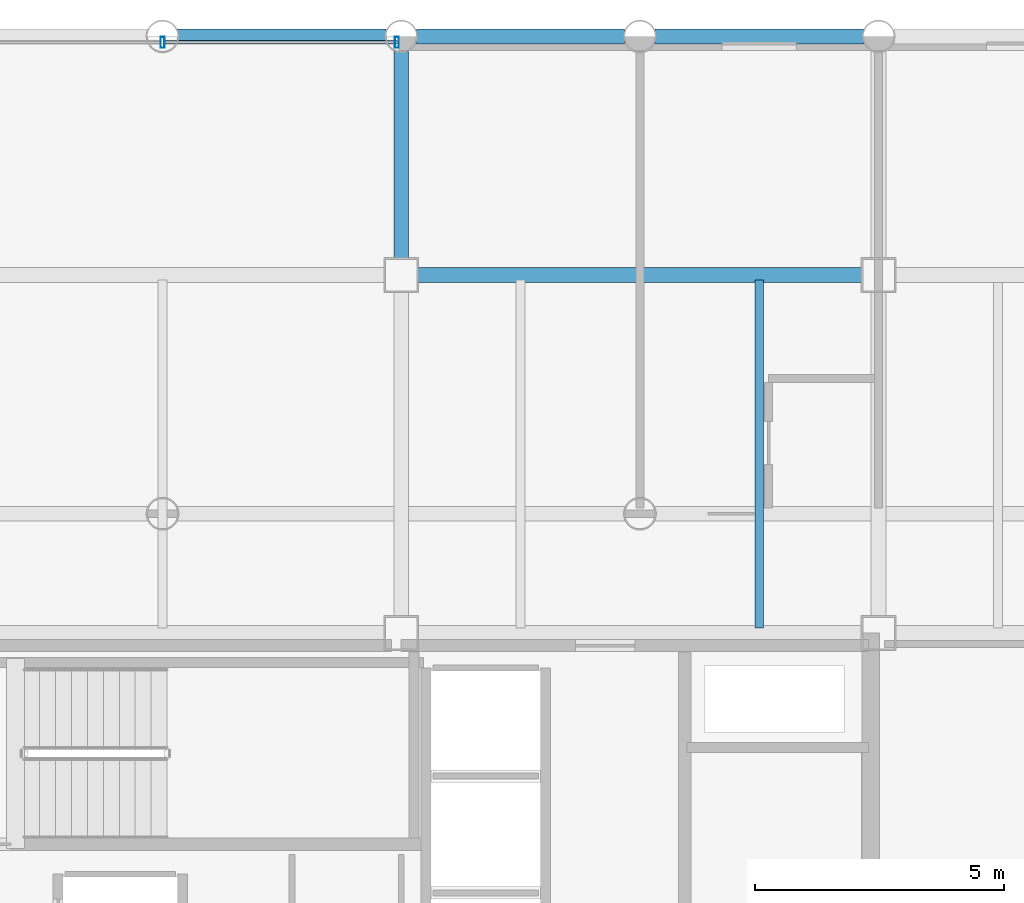
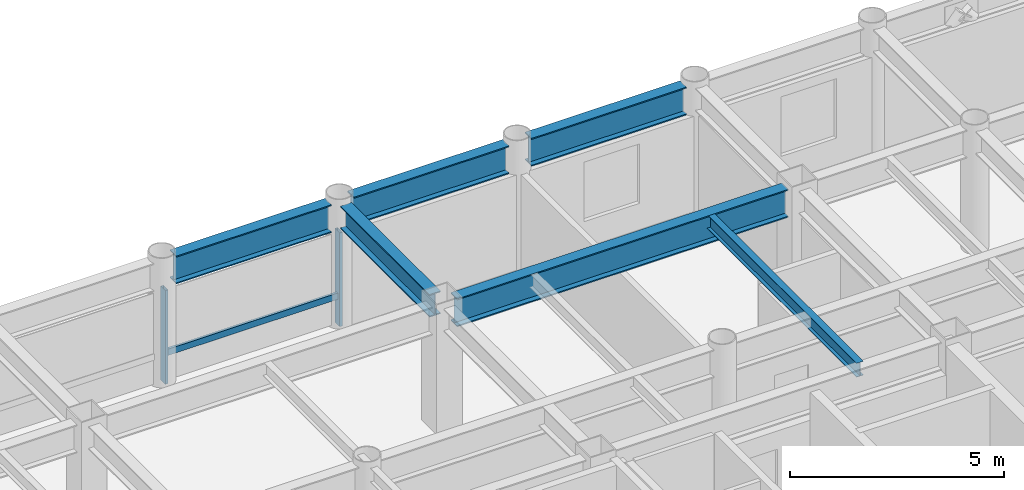
# One storey, part 12 of 19: 6 beams, 3 members, 1 element without a shape of its own.
"""IFC4 building model written with IfcOpenShell, lengths in metres."""

from ifc_helpers import new_model, si_unit, direction, frame, origin, origin_2d, place, context, subcontext, project, spatial, hollow_rectangle, i_section, extrude, material, layer, layer_set, material_profile, profile_set, type_object, element, aggregate, save


model = new_model("IFC4")

# Units and contexts
model_context = context("Model", 3, precision=1e-05, world=origin(), true_north=direction((0.0, 1.0)))
body_context = subcontext(model_context, "Body", "Model", "MODEL_VIEW")
ifc_project = project(units=[si_unit("LENGTHUNIT", "METRE"), si_unit("AREAUNIT", "SQUARE_METRE"), si_unit("VOLUMEUNIT", "CUBIC_METRE"), si_unit("PLANEANGLEUNIT", "RADIAN"), si_unit("MASSUNIT", "GRAM", prefix="KILO")], contexts=[model_context])

# Site, building, storey
site_placement = place(None, origin())
site = spatial("IfcSite", under=ifc_project, at=site_placement, CompositionType="ELEMENT")
building_placement = place(site_placement, origin())
building = spatial("IfcBuilding", under=site, at=building_placement, Name="Kallvorn Hotel Tower", CompositionType="ELEMENT")
storey_placement = place(building_placement, frame((0.0, 0.0, 169.199951171875)))
storey = spatial("IfcBuildingStorey", under=building, at=storey_placement, Name="L42", CompositionType="ELEMENT", Elevation=169.199951171875)

# Beams
ifc_material_1 = material(Name="Structural steel S355JR", Category="steel")
ifc_material_profile_1 = material_profile(ifc_material_1, i_section(OverallWidth=0.300048828125, OverallDepth=0.64990234375, WebThickness=0.01611328125, FlangeThickness=0.031005859375, at=origin_2d()), Name="HE 650 B")
ifc_profile_set_1 = profile_set([ifc_material_profile_1], Name="Structural steel S355JR")
beam_type_1 = type_object("IfcBeamType", Name="BM_HE650B", PredefinedType="BEAM", material=ifc_profile_set_1)
beam_1_placement = place(storey_placement, frame((4.800048828125, 14.72509765625, 3.195068359375), z_axis=(0.0, 1.0, 0.0), x_axis=(-1.0, 0.0, 0.0)))
element("IfcBeam", 1, at=beam_1_placement, inside=storey, type_object=beam_type_1, Name="L43 Primary Y-Girder 118", PredefinedType="BEAM", context=body_context, shape_type="SweptSolid", body=[
    extrude(i_section(OverallWidth=0.300048828125, OverallDepth=0.64990234375, WebThickness=0.01611328125, FlangeThickness=0.031005859375, at=origin_2d()), origin(), (0.0, 0.0, 1.0), 4.169921875),
])
ifc_material_2 = material(Name="Structural steel S355JR", Category="steel")
ifc_material_profile_2 = material_profile(ifc_material_2, i_section(OverallWidth=0.300048828125, OverallDepth=0.800048828125, WebThickness=0.017578125, FlangeThickness=0.032958984375, at=origin_2d()), Name="HE 800 B")
ifc_profile_set_2 = profile_set([ifc_material_profile_2], Name="Structural steel S355JR")
beam_type_2 = type_object("IfcBeamType", Name="BM_HE800B", PredefinedType="BEAM", material=ifc_profile_set_2)
beam_2_placement = place(storey_placement, frame((5.125, 14.39990234375, 3.1201171875), z_axis=(1.0, 0.0, 0.0), x_axis=(0.0, 1.0, 0.0)))
element("IfcBeam", 2, at=beam_2_placement, inside=storey, type_object=beam_type_2, Name="L43 Primary X-Girder 57", PredefinedType="BEAM", context=body_context, shape_type="SweptSolid", body=[
    extrude(i_section(OverallWidth=0.300048828125, OverallDepth=0.800048828125, WebThickness=0.017578125, FlangeThickness=0.032958984375, at=origin_2d()), origin(), (0.0, 0.0, 1.0), 8.949951171875),
])
beam_3_placement = place(storey_placement, frame((0.304931640625, 19.199951171875, 3.1201171875), z_axis=(1.0, 0.0, 0.0), x_axis=(0.0, 1.0, 0.0)))
element("IfcBeam", 3, at=beam_3_placement, inside=storey, type_object=beam_type_2, Name="L43 Primary X-Girder 67", PredefinedType="BEAM", context=body_context, shape_type="SweptSolid", body=[
    extrude(i_section(OverallWidth=0.300048828125, OverallDepth=0.800048828125, WebThickness=0.017578125, FlangeThickness=0.032958984375, at=origin_2d()), origin(), (0.0, 0.0, 1.0), 4.190185546875),
])
for number, where, z_axis, x_axis, name in (
    (4, (5.10498046875, 19.199951171875, 3.1201171875), (1.0, 0.0, 0.0), (0.0, 1.0, 0.0), "L43 Primary X-Girder 68"),
    (5, (9.905029296875, 19.199951171875, 3.1201171875), (1.0, 0.0, 0.0), (0.0, 1.0, 0.0), "L43 Primary X-Girder 69"),
):
    element("IfcBeam", number, at=place(storey_placement, frame(where, z_axis=z_axis, x_axis=x_axis)), inside=storey, type_object=beam_type_2, Name=name, PredefinedType="BEAM", context=body_context, shape_type="SweptSolid", body=[
        extrude(i_section(OverallWidth=0.300048828125, OverallDepth=0.800048828125, WebThickness=0.017578125, FlangeThickness=0.032958984375, at=origin_2d()), origin(), (0.0, 0.0, 1.0), 4.18994140625),
    ])
ifc_material_3 = material(Name="Structural steel S355JR", Category="steel")
ifc_material_profile_3 = material_profile(ifc_material_3, i_section(OverallWidth=0.179931640625, OverallDepth=0.39990234375, WebThickness=0.008544921875, FlangeThickness=0.013427734375, at=origin_2d()), Name="IPE 400")
ifc_profile_set_3 = profile_set([ifc_material_profile_3], Name="Structural steel S355JR")
beam_type_3 = type_object("IfcBeamType", Name="BM_IPE400", PredefinedType="JOIST", material=ifc_profile_set_3)
beam_4_placement = place(storey_placement, frame((12.0, 7.300048828125, 3.320068359375), z_axis=(0.0, 1.0, 0.0), x_axis=(-1.0, 0.0, 0.0)))
element("IfcBeam", 6, at=beam_4_placement, inside=storey, type_object=beam_type_3, Name="L43 Secondary Composite Joist 205", PredefinedType="JOIST", context=body_context, shape_type="SweptSolid", body=[
    extrude(i_section(OverallWidth=0.179931640625, OverallDepth=0.39990234375, WebThickness=0.008544921875, FlangeThickness=0.013427734375, at=origin_2d()), origin(), (0.0, 0.0, 1.0), 7.0),
])

# Curtain wall, members
ifc_material_4 = material(Name="Thermally broken black-anodised aluminium AA 6063-T6", Category="aluminium")
ifc_layer = layer(ifc_material_4, 0.2099609375)
ifc_layer_set = layer_set([ifc_layer], Name="CW_SYS_4_HOTEL_MID")
curtain_wall_type = type_object("IfcCurtainWallType", Name="CW_SYS_4_HOTEL_MID", PredefinedType="USERDEFINED", material=ifc_layer_set)
curtain_wall_placement = place(storey_placement, origin())
curtain_wall = element("IfcCurtainWall", 7, at=curtain_wall_placement, inside=storey, type_object=curtain_wall_type, Name="L42 Dark-Glass Curtain Wall CW-L42-NC", ObjectType="UNITISED CURTAIN WALL", PredefinedType="USERDEFINED")
ifc_material_5 = material(Name="Thermally broken black-anodised aluminium AA 6063-T6", Category="aluminium")
ifc_material_profile_4 = material_profile(ifc_material_5, hollow_rectangle(XDim=0.080078125, YDim=0.219970703125, WallThickness=0.0048828125, at=origin_2d()), Name="MUL 220x80")
ifc_profile_set_4 = profile_set([ifc_material_profile_4], Name="Thermally broken black-anodised aluminium AA 6063-T6")
member_type_1 = type_object("IfcMemberType", Name="CW_MULLION_220x80", PredefinedType="MULLION", material=ifc_profile_set_4)
member_1_placement = place(storey_placement, frame((0.0, 19.080078125, 0.02001953125), z_axis=(0.0, 0.0, 1.0), x_axis=(1.0, 0.0, 0.0)))
member_1 = element("IfcMember", 8, at=member_1_placement, type_object=member_type_1, Name="CW-L42-NC Mullion 01", PredefinedType="MULLION", context=body_context, shape_type="SweptSolid", body=[
    extrude(hollow_rectangle(XDim=0.080078125, YDim=0.219970703125, WallThickness=0.0048828125, at=origin_2d()), origin(), (0.0, 0.0, 1.0), 2.679931640625),
])
member_2_placement = place(storey_placement, frame((4.7099609375, 19.080078125, 0.02001953125), z_axis=(0.0, 0.0, 1.0), x_axis=(1.0, 0.0, 0.0)))
member_2 = element("IfcMember", 9, at=member_2_placement, type_object=member_type_1, Name="CW-L42-NC Mullion 02", PredefinedType="MULLION", context=body_context, shape_type="SweptSolid", body=[
    extrude(hollow_rectangle(XDim=0.080078125, YDim=0.219970703125, WallThickness=0.0048828125, at=origin_2d()), origin(), (0.0, 0.0, 1.0), 2.679931640625),
])
ifc_material_6 = material(Name="Thermally broken black-anodised aluminium AA 6063-T6", Category="aluminium")
ifc_material_profile_5 = material_profile(ifc_material_6, hollow_rectangle(XDim=0.070068359375, YDim=0.179931640625, WallThickness=0.00390625, at=origin_2d()), Name="TRN 180x70")
ifc_profile_set_5 = profile_set([ifc_material_profile_5], Name="Thermally broken black-anodised aluminium AA 6063-T6")
member_type_2 = type_object("IfcMemberType", Name="CW_TRANSOM_180x70", PredefinedType="USERDEFINED", material=ifc_profile_set_5)
member_3_placement = place(storey_placement, frame((0.0400390625, 19.080078125, 0.85009765625), z_axis=(1.0, 0.0, 0.0), x_axis=(0.0, 1.0, 0.0)))
member_3 = element("IfcMember", 10, at=member_3_placement, type_object=member_type_2, Name="CW-L42-NC Transom 01M", ObjectType="TRANSOM", PredefinedType="USERDEFINED", context=body_context, shape_type="SweptSolid", body=[
    extrude(hollow_rectangle(XDim=0.070068359375, YDim=0.179931640625, WallThickness=0.00390625, at=origin_2d()), origin(), (0.0, 0.0, 1.0), 4.669921875),
])
aggregate(curtain_wall, [member_1, member_2, member_3])

save(model, "model.ifc")
